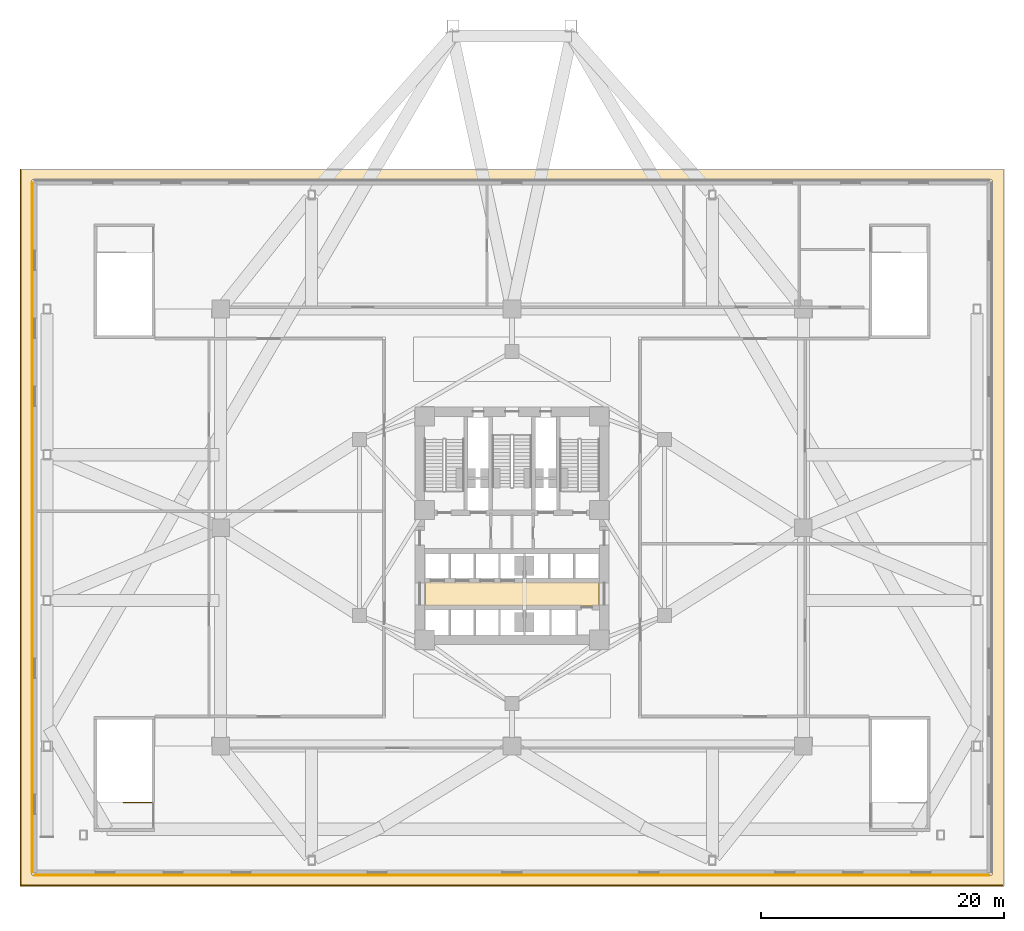
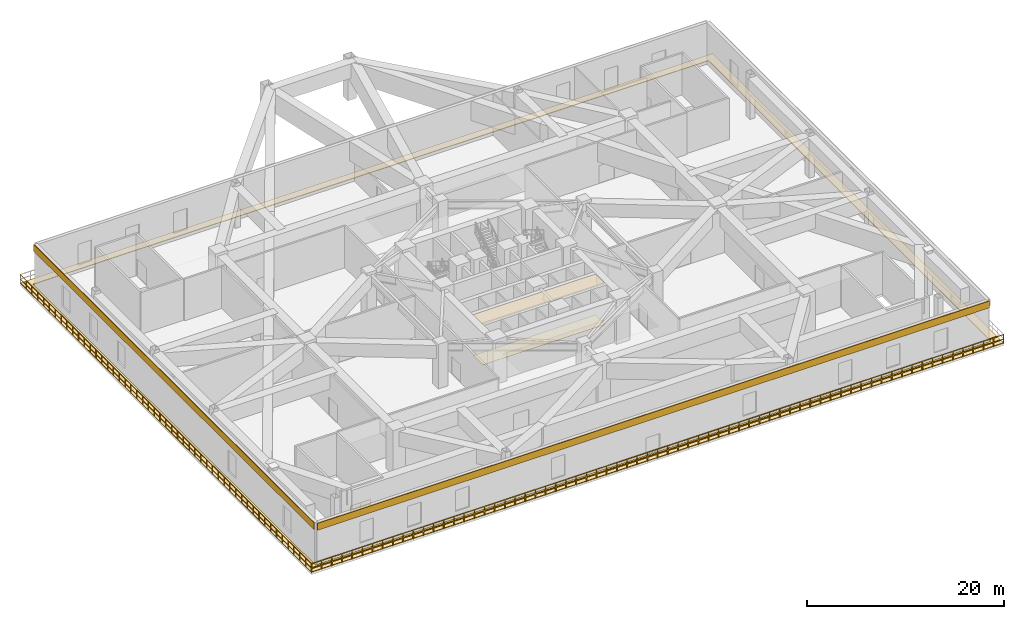
# One storey, part 11 of 15: 5 coverings, 3 railings.
"""IFC4 building model written with IfcOpenShell, lengths in metres."""

from ifc_helpers import new_model, si_unit, direction, frame, origin, origin_2d, place, context, subcontext, project, spatial, polyline, rectangle, outline, extrude, material, layer, layer_set, type_object, element, save


model = new_model("IFC4")

# Units and contexts
model_context = context("Model", 3, precision=1e-05, world=origin(), true_north=direction((0.0, 1.0)))
body_context = subcontext(model_context, "Body", "Model", "MODEL_VIEW")
ifc_project = project(units=[si_unit("LENGTHUNIT", "METRE"), si_unit("AREAUNIT", "SQUARE_METRE"), si_unit("VOLUMEUNIT", "CUBIC_METRE"), si_unit("PLANEANGLEUNIT", "RADIAN"), si_unit("MASSUNIT", "GRAM", prefix="KILO")], contexts=[model_context])

# Site, building, storey
site_placement = place(None, origin())
site = spatial("IfcSite", under=ifc_project, at=site_placement, CompositionType="ELEMENT")
building_placement = place(site_placement, origin())
building = spatial("IfcBuilding", under=site, at=building_placement, Name="Apsidion Concourse Tower", CompositionType="ELEMENT")
storey_placement = place(building_placement, frame((0.0, 0.0, 23.5)))
storey = spatial("IfcBuildingStorey", under=building, at=storey_placement, Name="L04", CompositionType="ELEMENT", Elevation=23.5)

# Coverings
ifc_material_1 = material(Name="Acoustic mineral fibre ceiling")
ifc_layer_1 = layer(ifc_material_1, 0.0400390625)
ifc_layer_set_1 = layer_set([ifc_layer_1], Name="Acoustic mineral fibre ceiling")
covering_type_1 = type_object("IfcCoveringType", Name="COV-CEIL-40", PredefinedType="CEILING", material=ifc_layer_set_1)
covering_1_placement = place(storey_placement, frame((0.0, 0.0, 5.050048828125)))
element("IfcCovering", 1, at=covering_1_placement, inside=storey, type_object=covering_type_1, Name="L04 Acoustic Ceiling Grid 1", PredefinedType="CEILING", context=body_context, shape_type="SweptSolid", body=[
    extrude(outline(polyline([(-7.179931640625, -6.449951171875), (-7.179931640625, -4.47998046875), (7.179931640625, -4.47998046875), (7.179931640625, -6.449951171875), (-7.179931640625, -6.449951171875)])), origin(), (0.0, 0.0, 1.0), 0.0400390625),
])
ifc_material_2 = material(Name="Reconstituted limestone facade cladding", Category="masonry")
ifc_layer_2 = layer(ifc_material_2, 0.080078125)
ifc_layer_set_2 = layer_set([ifc_layer_2], Name="Reconstituted limestone facade cladding")
covering_type_2 = type_object("IfcCoveringType", Name="COV-CLAD-80", PredefinedType="CLADDING", material=ifc_layer_set_2)
covering_2_placement = place(storey_placement, frame((0.0, 0.0, 4.300048828125)))
element("IfcCovering", 2, at=covering_2_placement, inside=storey, type_object=covering_type_2, Name="L04 Limestone Spandrel Cladding S", PredefinedType="CLADDING", context=body_context, shape_type="SweptSolid", body=[
    extrude(outline(polyline([(39.300048828125, -28.580078125), (-39.300048828125, -28.580078125), (-39.300048828125, -28.659912109375), (39.300048828125, -28.659912109375), (39.300048828125, -28.580078125)])), origin(), (0.0, 0.0, 1.0), 0.849853515625),
])
covering_3_placement = place(storey_placement, frame((0.0, 0.0, 4.300048828125)))
element("IfcCovering", 3, at=covering_3_placement, inside=storey, type_object=covering_type_2, Name="L04 Limestone Spandrel Cladding W", PredefinedType="CLADDING", context=body_context, shape_type="SweptSolid", body=[
    extrude(outline(polyline([(-39.47998046875, -28.39990234375), (-39.47998046875, 28.39990234375), (-39.56005859375, 28.39990234375), (-39.56005859375, -28.39990234375), (-39.47998046875, -28.39990234375)])), origin(), (0.0, 0.0, 1.0), 0.849853515625),
])
ifc_material_3 = material(Name="Honed travertine floor finish", Category="masonry")
ifc_layer_3 = layer(ifc_material_3, 0.02001953125)
ifc_layer_set_3 = layer_set([ifc_layer_3], Name="Honed travertine floor finish")
covering_type_3 = type_object("IfcCoveringType", Name="COV-FLOR-20", PredefinedType="FLOORING", material=ifc_layer_set_3)
covering_4_placement = place(storey_placement, origin())
element("IfcCovering", 4, at=covering_4_placement, inside=storey, type_object=covering_type_3, Name="L04 Honed Travertine Floor Finish 1", PredefinedType="FLOORING", context=body_context, shape_type="SweptSolid", body=[
    extrude(outline(polyline([(-7.179931640625, -6.449951171875), (-7.179931640625, -4.47998046875), (7.179931640625, -4.47998046875), (7.179931640625, -6.449951171875), (-7.179931640625, -6.449951171875)])), origin(), (0.0, 0.0, 1.0), 0.02001953125),
])
ifc_material_4 = material(Name="Single-ply EPDM roofing membrane")
ifc_layer_4 = layer(ifc_material_4, 0.1201171875)
ifc_layer_set_4 = layer_set([ifc_layer_4], Name="Single-ply EPDM roofing membrane")
covering_type_4 = type_object("IfcCoveringType", Name="COV-ROOF-120", PredefinedType="ROOFING", material=ifc_layer_set_4)
covering_5_placement = place(storey_placement, origin())
element("IfcCovering", 5, at=covering_5_placement, inside=storey, type_object=covering_type_4, Name="L04 Podium Terrace Waterproofing Membrane", PredefinedType="ROOFING", context=body_context, shape_type="SweptSolid", body=[
    extrude(outline(polyline([(-40.5, 29.5), (40.5, 29.5), (40.5, -29.5), (-40.5, -29.5), (-40.5, 29.5)]), holes=[polyline([(-39.52001953125, -28.60205078125), (-39.51953125, -28.60400390625), (-39.51904296875, -28.605712890625), (-39.5185546875, -28.607666015625), (-39.517578125, -28.609375), (-39.5166015625, -28.611083984375), (-39.515380859375, -28.61279296875), (-39.51416015625, -28.614013671875), (-39.5126953125, -28.615478515625), (-39.510986328125, -28.61669921875), (-39.509521484375, -28.61767578125), (-39.5078125, -28.618408203125), (-39.505859375, -28.619140625), (-39.50390625, -28.61962890625), (-39.501953125, -28.619873046875), (-39.5, -28.6201171875), (39.5, -28.6201171875), (39.501953125, -28.619873046875), (39.50390625, -28.61962890625), (39.505859375, -28.619140625), (39.5078125, -28.618408203125), (39.509521484375, -28.61767578125), (39.510986328125, -28.61669921875), (39.5126953125, -28.615478515625), (39.51416015625, -28.614013671875), (39.515380859375, -28.61279296875), (39.5166015625, -28.611083984375), (39.517578125, -28.609375), (39.5185546875, -28.607666015625), (39.51904296875, -28.605712890625), (39.51953125, -28.60400390625), (39.52001953125, -28.60205078125), (39.52001953125, -28.60009765625), (39.52001953125, 28.60009765625), (39.52001953125, 28.60205078125), (39.51953125, 28.60400390625), (39.51904296875, 28.605712890625), (39.5185546875, 28.607666015625), (39.517578125, 28.609375), (39.5166015625, 28.611083984375), (39.515380859375, 28.61279296875), (39.51416015625, 28.614013671875), (39.5126953125, 28.615478515625), (39.510986328125, 28.61669921875), (39.509521484375, 28.61767578125), (39.5078125, 28.618408203125), (39.505859375, 28.619140625), (39.50390625, 28.61962890625), (39.501953125, 28.619873046875), (39.5, 28.6201171875), (-39.5, 28.6201171875), (-39.501953125, 28.619873046875), (-39.50390625, 28.61962890625), (-39.505859375, 28.619140625), (-39.5078125, 28.618408203125), (-39.509521484375, 28.61767578125), (-39.510986328125, 28.61669921875), (-39.5126953125, 28.615478515625), (-39.51416015625, 28.614013671875), (-39.515380859375, 28.61279296875), (-39.5166015625, 28.611083984375), (-39.517578125, 28.609375), (-39.5185546875, 28.607666015625), (-39.51904296875, 28.605712890625), (-39.51953125, 28.60400390625), (-39.52001953125, 28.60205078125), (-39.52001953125, 28.60009765625), (-39.52001953125, -28.60009765625), (-39.52001953125, -28.60205078125)])]), origin(), (0.0, 0.0, 1.0), 0.080078125),
])

# Railings
ifc_material_5 = material(Name="Brushed stainless steel 316", Category="steel")
railing_type_1 = type_object("IfcRailingType", Name="RL-BAL-1120", PredefinedType="BALUSTRADE", material=ifc_material_5)
railing_1_placement = place(storey_placement, frame((40.5, -29.5, 0.0)))
element("IfcRailing", 6, at=railing_1_placement, inside=storey, type_object=railing_type_1, Name="L04 Podium Setback Terrace Balustrade 3", PredefinedType="BALUSTRADE", context=body_context, shape_type="SweptSolid", body=[
    extrude(rectangle(XDim=0.048095703125, YDim=0.048095703125, at=origin_2d()), frame((0.0, 0.0, 1.09619140625), z_axis=(-1.0, 0.0, 0.0), x_axis=(0.0, -1.0, 0.0)), (0.0, 0.0, 1.0), 81.0),
    extrude(rectangle(XDim=0.048095703125, YDim=0.048095703125, at=origin_2d()), frame((0.0, 0.0, 0.5361328125), z_axis=(-1.0, 0.0, 0.0), x_axis=(0.0, -1.0, 0.0)), (0.0, 0.0, 1.0), 81.0),
    extrude(rectangle(XDim=0.0419921875, YDim=0.0419921875, at=origin_2d()), origin(), (0.0, 0.0, 1.0), 1.072021484375),
    extrude(rectangle(XDim=0.0419921875, YDim=0.0419921875, at=origin_2d()), frame((-1.191162109375, 0.0, 0.0)), (0.0, 0.0, 1.0), 1.072021484375),
    extrude(rectangle(XDim=0.0419921875, YDim=0.0419921875, at=origin_2d()), frame((-2.38232421875, 0.0, 0.0)), (0.0, 0.0, 1.0), 1.072021484375),
    extrude(rectangle(XDim=0.0419921875, YDim=0.0419921875, at=origin_2d()), frame((-3.573486328125, 0.0, 0.0)), (0.0, 0.0, 1.0), 1.072021484375),
    extrude(rectangle(XDim=0.0419921875, YDim=0.0419921875, at=origin_2d()), frame((-4.7646484375, 0.0, 0.0)), (0.0, 0.0, 1.0), 1.072021484375),
    extrude(rectangle(XDim=0.0419921875, YDim=0.0419921875, at=origin_2d()), frame((-5.955810546875, 0.0, 0.0)), (0.0, 0.0, 1.0), 1.072021484375),
    extrude(rectangle(XDim=0.0419921875, YDim=0.0419921875, at=origin_2d()), frame((-7.14697265625, 0.0, 0.0)), (0.0, 0.0, 1.0), 1.072021484375),
    extrude(rectangle(XDim=0.0419921875, YDim=0.0419921875, at=origin_2d()), frame((-8.338134765625, 0.0, 0.0)), (0.0, 0.0, 1.0), 1.072021484375),
    extrude(rectangle(XDim=0.0419921875, YDim=0.0419921875, at=origin_2d()), frame((-9.529296875, 0.0, 0.0)), (0.0, 0.0, 1.0), 1.072021484375),
    extrude(rectangle(XDim=0.0419921875, YDim=0.0419921875, at=origin_2d()), frame((-10.720703125, 0.0, 0.0)), (0.0, 0.0, 1.0), 1.072021484375),
    extrude(rectangle(XDim=0.0419921875, YDim=0.0419921875, at=origin_2d()), frame((-11.911865234375, 0.0, 0.0)), (0.0, 0.0, 1.0), 1.072021484375),
    extrude(rectangle(XDim=0.0419921875, YDim=0.0419921875, at=origin_2d()), frame((-13.10302734375, 0.0, 0.0)), (0.0, 0.0, 1.0), 1.072021484375),
    extrude(rectangle(XDim=0.0419921875, YDim=0.0419921875, at=origin_2d()), frame((-14.294189453125, 0.0, 0.0)), (0.0, 0.0, 1.0), 1.072021484375),
    extrude(rectangle(XDim=0.0419921875, YDim=0.0419921875, at=origin_2d()), frame((-15.4853515625, 0.0, 0.0)), (0.0, 0.0, 1.0), 1.072021484375),
    extrude(rectangle(XDim=0.0419921875, YDim=0.0419921875, at=origin_2d()), frame((-16.676513671875, 0.0, 0.0)), (0.0, 0.0, 1.0), 1.072021484375),
    extrude(rectangle(XDim=0.0419921875, YDim=0.0419921875, at=origin_2d()), frame((-17.86767578125, 0.0, 0.0)), (0.0, 0.0, 1.0), 1.072021484375),
    extrude(rectangle(XDim=0.0419921875, YDim=0.0419921875, at=origin_2d()), frame((-19.058837890625, 0.0, 0.0)), (0.0, 0.0, 1.0), 1.072021484375),
    extrude(rectangle(XDim=0.0419921875, YDim=0.0419921875, at=origin_2d()), frame((-20.25, 0.0, 0.0)), (0.0, 0.0, 1.0), 1.072021484375),
    extrude(rectangle(XDim=0.0419921875, YDim=0.0419921875, at=origin_2d()), frame((-21.441162109375, 0.0, 0.0)), (0.0, 0.0, 1.0), 1.072021484375),
    extrude(rectangle(XDim=0.0419921875, YDim=0.0419921875, at=origin_2d()), frame((-22.63232421875, 0.0, 0.0)), (0.0, 0.0, 1.0), 1.072021484375),
    extrude(rectangle(XDim=0.0419921875, YDim=0.0419921875, at=origin_2d()), frame((-23.823486328125, 0.0, 0.0)), (0.0, 0.0, 1.0), 1.072021484375),
    extrude(rectangle(XDim=0.0419921875, YDim=0.0419921875, at=origin_2d()), frame((-25.0146484375, 0.0, 0.0)), (0.0, 0.0, 1.0), 1.072021484375),
    extrude(rectangle(XDim=0.0419921875, YDim=0.0419921875, at=origin_2d()), frame((-26.205810546875, 0.0, 0.0)), (0.0, 0.0, 1.0), 1.072021484375),
    extrude(rectangle(XDim=0.0419921875, YDim=0.0419921875, at=origin_2d()), frame((-27.39697265625, 0.0, 0.0)), (0.0, 0.0, 1.0), 1.072021484375),
    extrude(rectangle(XDim=0.0419921875, YDim=0.0419921875, at=origin_2d()), frame((-28.588134765625, 0.0, 0.0)), (0.0, 0.0, 1.0), 1.072021484375),
    extrude(rectangle(XDim=0.0419921875, YDim=0.0419921875, at=origin_2d()), frame((-29.779296875, 0.0, 0.0)), (0.0, 0.0, 1.0), 1.072021484375),
    extrude(rectangle(XDim=0.0419921875, YDim=0.0419921875, at=origin_2d()), frame((-30.970703125, 0.0, 0.0)), (0.0, 0.0, 1.0), 1.072021484375),
    extrude(rectangle(XDim=0.0419921875, YDim=0.0419921875, at=origin_2d()), frame((-32.161865234375, 0.0, 0.0)), (0.0, 0.0, 1.0), 1.072021484375),
    extrude(rectangle(XDim=0.0419921875, YDim=0.0419921875, at=origin_2d()), frame((-33.35302734375, 0.0, 0.0)), (0.0, 0.0, 1.0), 1.072021484375),
    extrude(rectangle(XDim=0.0419921875, YDim=0.0419921875, at=origin_2d()), frame((-34.544189453125, 0.0, 0.0)), (0.0, 0.0, 1.0), 1.072021484375),
    extrude(rectangle(XDim=0.0419921875, YDim=0.0419921875, at=origin_2d()), frame((-35.7353515625, 0.0, 0.0)), (0.0, 0.0, 1.0), 1.072021484375),
    extrude(rectangle(XDim=0.0419921875, YDim=0.0419921875, at=origin_2d()), frame((-36.926513671875, 0.0, 0.0)), (0.0, 0.0, 1.0), 1.072021484375),
    extrude(rectangle(XDim=0.0419921875, YDim=0.0419921875, at=origin_2d()), frame((-38.11767578125, 0.0, 0.0)), (0.0, 0.0, 1.0), 1.072021484375),
    extrude(rectangle(XDim=0.0419921875, YDim=0.0419921875, at=origin_2d()), frame((-39.308837890625, 0.0, 0.0)), (0.0, 0.0, 1.0), 1.072021484375),
    extrude(rectangle(XDim=0.0419921875, YDim=0.0419921875, at=origin_2d()), frame((-40.5, 0.0, 0.0)), (0.0, 0.0, 1.0), 1.072021484375),
    extrude(rectangle(XDim=0.0419921875, YDim=0.0419921875, at=origin_2d()), frame((-41.691162109375, 0.0, 0.0)), (0.0, 0.0, 1.0), 1.072021484375),
    extrude(rectangle(XDim=0.0419921875, YDim=0.0419921875, at=origin_2d()), frame((-42.88232421875, 0.0, 0.0)), (0.0, 0.0, 1.0), 1.072021484375),
    extrude(rectangle(XDim=0.0419921875, YDim=0.0419921875, at=origin_2d()), frame((-44.073486328125, 0.0, 0.0)), (0.0, 0.0, 1.0), 1.072021484375),
    extrude(rectangle(XDim=0.0419921875, YDim=0.0419921875, at=origin_2d()), frame((-45.2646484375, 0.0, 0.0)), (0.0, 0.0, 1.0), 1.072021484375),
    extrude(rectangle(XDim=0.0419921875, YDim=0.0419921875, at=origin_2d()), frame((-46.455810546875, 0.0, 0.0)), (0.0, 0.0, 1.0), 1.072021484375),
    extrude(rectangle(XDim=0.0419921875, YDim=0.0419921875, at=origin_2d()), frame((-47.64697265625, 0.0, 0.0)), (0.0, 0.0, 1.0), 1.072021484375),
    extrude(rectangle(XDim=0.0419921875, YDim=0.0419921875, at=origin_2d()), frame((-48.838134765625, 0.0, 0.0)), (0.0, 0.0, 1.0), 1.072021484375),
    extrude(rectangle(XDim=0.0419921875, YDim=0.0419921875, at=origin_2d()), frame((-50.029296875, 0.0, 0.0)), (0.0, 0.0, 1.0), 1.072021484375),
    extrude(rectangle(XDim=0.0419921875, YDim=0.0419921875, at=origin_2d()), frame((-51.220703125, 0.0, 0.0)), (0.0, 0.0, 1.0), 1.072021484375),
    extrude(rectangle(XDim=0.0419921875, YDim=0.0419921875, at=origin_2d()), frame((-52.411865234375, 0.0, 0.0)), (0.0, 0.0, 1.0), 1.072021484375),
    extrude(rectangle(XDim=0.0419921875, YDim=0.0419921875, at=origin_2d()), frame((-53.60302734375, 0.0, 0.0)), (0.0, 0.0, 1.0), 1.072021484375),
    extrude(rectangle(XDim=0.0419921875, YDim=0.0419921875, at=origin_2d()), frame((-54.794189453125, 0.0, 0.0)), (0.0, 0.0, 1.0), 1.072021484375),
    extrude(rectangle(XDim=0.0419921875, YDim=0.0419921875, at=origin_2d()), frame((-55.9853515625, 0.0, 0.0)), (0.0, 0.0, 1.0), 1.072021484375),
    extrude(rectangle(XDim=0.0419921875, YDim=0.0419921875, at=origin_2d()), frame((-57.176513671875, 0.0, 0.0)), (0.0, 0.0, 1.0), 1.072021484375),
    extrude(rectangle(XDim=0.0419921875, YDim=0.0419921875, at=origin_2d()), frame((-58.36767578125, 0.0, 0.0)), (0.0, 0.0, 1.0), 1.072021484375),
    extrude(rectangle(XDim=0.0419921875, YDim=0.0419921875, at=origin_2d()), frame((-59.558837890625, 0.0, 0.0)), (0.0, 0.0, 1.0), 1.072021484375),
    extrude(rectangle(XDim=0.0419921875, YDim=0.0419921875, at=origin_2d()), frame((-60.75, 0.0, 0.0)), (0.0, 0.0, 1.0), 1.072021484375),
    extrude(rectangle(XDim=0.0419921875, YDim=0.0419921875, at=origin_2d()), frame((-61.941162109375, 0.0, 0.0)), (0.0, 0.0, 1.0), 1.072021484375),
    extrude(rectangle(XDim=0.0419921875, YDim=0.0419921875, at=origin_2d()), frame((-63.13232421875, 0.0, 0.0)), (0.0, 0.0, 1.0), 1.072021484375),
    extrude(rectangle(XDim=0.0419921875, YDim=0.0419921875, at=origin_2d()), frame((-64.323486328125, 0.0, 0.0)), (0.0, 0.0, 1.0), 1.072021484375),
    extrude(rectangle(XDim=0.0419921875, YDim=0.0419921875, at=origin_2d()), frame((-65.5146484375, 0.0, 0.0)), (0.0, 0.0, 1.0), 1.072021484375),
    extrude(rectangle(XDim=0.0419921875, YDim=0.0419921875, at=origin_2d()), frame((-66.705810546875, 0.0, 0.0)), (0.0, 0.0, 1.0), 1.072021484375),
    extrude(rectangle(XDim=0.0419921875, YDim=0.0419921875, at=origin_2d()), frame((-67.89697265625, 0.0, 0.0)), (0.0, 0.0, 1.0), 1.072021484375),
    extrude(rectangle(XDim=0.0419921875, YDim=0.0419921875, at=origin_2d()), frame((-69.088134765625, 0.0, 0.0)), (0.0, 0.0, 1.0), 1.072021484375),
    extrude(rectangle(XDim=0.0419921875, YDim=0.0419921875, at=origin_2d()), frame((-70.279296875, 0.0, 0.0)), (0.0, 0.0, 1.0), 1.072021484375),
    extrude(rectangle(XDim=0.0419921875, YDim=0.0419921875, at=origin_2d()), frame((-71.470703125, 0.0, 0.0)), (0.0, 0.0, 1.0), 1.072021484375),
    extrude(rectangle(XDim=0.0419921875, YDim=0.0419921875, at=origin_2d()), frame((-72.661865234375, 0.0, 0.0)), (0.0, 0.0, 1.0), 1.072021484375),
    extrude(rectangle(XDim=0.0419921875, YDim=0.0419921875, at=origin_2d()), frame((-73.85302734375, 0.0, 0.0)), (0.0, 0.0, 1.0), 1.072021484375),
    extrude(rectangle(XDim=0.0419921875, YDim=0.0419921875, at=origin_2d()), frame((-75.044189453125, 0.0, 0.0)), (0.0, 0.0, 1.0), 1.072021484375),
    extrude(rectangle(XDim=0.0419921875, YDim=0.0419921875, at=origin_2d()), frame((-76.2353515625, 0.0, 0.0)), (0.0, 0.0, 1.0), 1.072021484375),
    extrude(rectangle(XDim=0.0419921875, YDim=0.0419921875, at=origin_2d()), frame((-77.426513671875, 0.0, 0.0)), (0.0, 0.0, 1.0), 1.072021484375),
    extrude(rectangle(XDim=0.0419921875, YDim=0.0419921875, at=origin_2d()), frame((-78.61767578125, 0.0, 0.0)), (0.0, 0.0, 1.0), 1.072021484375),
    extrude(rectangle(XDim=0.0419921875, YDim=0.0419921875, at=origin_2d()), frame((-79.808837890625, 0.0, 0.0)), (0.0, 0.0, 1.0), 1.072021484375),
    extrude(rectangle(XDim=0.0419921875, YDim=0.0419921875, at=origin_2d()), frame((-81.0, 0.0, 0.0)), (0.0, 0.0, 1.0), 1.072021484375),
])
railing_2_placement = place(storey_placement, frame((-40.5, -29.5, 0.0)))
element("IfcRailing", 7, at=railing_2_placement, inside=storey, type_object=railing_type_1, Name="L04 Podium Setback Terrace Balustrade 4", PredefinedType="BALUSTRADE", context=body_context, shape_type="SweptSolid", body=[
    extrude(rectangle(XDim=0.048095703125, YDim=0.048095703125, at=origin_2d()), frame((0.0, 0.0, 1.09619140625), z_axis=(0.0, 1.0, 0.0), x_axis=(-1.0, 0.0, 0.0)), (0.0, 0.0, 1.0), 59.0),
    extrude(rectangle(XDim=0.048095703125, YDim=0.048095703125, at=origin_2d()), frame((0.0, 0.0, 0.5361328125), z_axis=(0.0, 1.0, 0.0), x_axis=(-1.0, 0.0, 0.0)), (0.0, 0.0, 1.0), 59.0),
    extrude(rectangle(XDim=0.0419921875, YDim=0.0419921875, at=origin_2d()), origin(), (0.0, 0.0, 1.0), 1.072021484375),
    extrude(rectangle(XDim=0.0419921875, YDim=0.0419921875, at=origin_2d()), frame((0.0, 1.179931640625, 0.0)), (0.0, 0.0, 1.0), 1.072021484375),
    extrude(rectangle(XDim=0.0419921875, YDim=0.0419921875, at=origin_2d()), frame((0.0, 2.360107421875, 0.0)), (0.0, 0.0, 1.0), 1.072021484375),
    extrude(rectangle(XDim=0.0419921875, YDim=0.0419921875, at=origin_2d()), frame((0.0, 3.5400390625, 0.0)), (0.0, 0.0, 1.0), 1.072021484375),
    extrude(rectangle(XDim=0.0419921875, YDim=0.0419921875, at=origin_2d()), frame((0.0, 4.719970703125, 0.0)), (0.0, 0.0, 1.0), 1.072021484375),
    extrude(rectangle(XDim=0.0419921875, YDim=0.0419921875, at=origin_2d()), frame((0.0, 5.89990234375, 0.0)), (0.0, 0.0, 1.0), 1.072021484375),
    extrude(rectangle(XDim=0.0419921875, YDim=0.0419921875, at=origin_2d()), frame((0.0, 7.080078125, 0.0)), (0.0, 0.0, 1.0), 1.072021484375),
    extrude(rectangle(XDim=0.0419921875, YDim=0.0419921875, at=origin_2d()), frame((0.0, 8.260009765625, 0.0)), (0.0, 0.0, 1.0), 1.072021484375),
    extrude(rectangle(XDim=0.0419921875, YDim=0.0419921875, at=origin_2d()), frame((0.0, 9.43994140625, 0.0)), (0.0, 0.0, 1.0), 1.072021484375),
    extrude(rectangle(XDim=0.0419921875, YDim=0.0419921875, at=origin_2d()), frame((0.0, 10.6201171875, 0.0)), (0.0, 0.0, 1.0), 1.072021484375),
    extrude(rectangle(XDim=0.0419921875, YDim=0.0419921875, at=origin_2d()), frame((0.0, 11.800048828125, 0.0)), (0.0, 0.0, 1.0), 1.072021484375),
    extrude(rectangle(XDim=0.0419921875, YDim=0.0419921875, at=origin_2d()), frame((0.0, 12.97998046875, 0.0)), (0.0, 0.0, 1.0), 1.072021484375),
    extrude(rectangle(XDim=0.0419921875, YDim=0.0419921875, at=origin_2d()), frame((0.0, 14.159912109375, 0.0)), (0.0, 0.0, 1.0), 1.072021484375),
    extrude(rectangle(XDim=0.0419921875, YDim=0.0419921875, at=origin_2d()), frame((0.0, 15.340087890625, 0.0)), (0.0, 0.0, 1.0), 1.072021484375),
    extrude(rectangle(XDim=0.0419921875, YDim=0.0419921875, at=origin_2d()), frame((0.0, 16.52001953125, 0.0)), (0.0, 0.0, 1.0), 1.072021484375),
    extrude(rectangle(XDim=0.0419921875, YDim=0.0419921875, at=origin_2d()), frame((0.0, 17.699951171875, 0.0)), (0.0, 0.0, 1.0), 1.072021484375),
    extrude(rectangle(XDim=0.0419921875, YDim=0.0419921875, at=origin_2d()), frame((0.0, 18.8798828125, 0.0)), (0.0, 0.0, 1.0), 1.072021484375),
    extrude(rectangle(XDim=0.0419921875, YDim=0.0419921875, at=origin_2d()), frame((0.0, 20.06005859375, 0.0)), (0.0, 0.0, 1.0), 1.072021484375),
    extrude(rectangle(XDim=0.0419921875, YDim=0.0419921875, at=origin_2d()), frame((0.0, 21.239990234375, 0.0)), (0.0, 0.0, 1.0), 1.072021484375),
    extrude(rectangle(XDim=0.0419921875, YDim=0.0419921875, at=origin_2d()), frame((0.0, 22.419921875, 0.0)), (0.0, 0.0, 1.0), 1.072021484375),
    extrude(rectangle(XDim=0.0419921875, YDim=0.0419921875, at=origin_2d()), frame((0.0, 23.60009765625, 0.0)), (0.0, 0.0, 1.0), 1.072021484375),
    extrude(rectangle(XDim=0.0419921875, YDim=0.0419921875, at=origin_2d()), frame((0.0, 24.780029296875, 0.0)), (0.0, 0.0, 1.0), 1.072021484375),
    extrude(rectangle(XDim=0.0419921875, YDim=0.0419921875, at=origin_2d()), frame((0.0, 25.9599609375, 0.0)), (0.0, 0.0, 1.0), 1.072021484375),
    extrude(rectangle(XDim=0.0419921875, YDim=0.0419921875, at=origin_2d()), frame((0.0, 27.139892578125, 0.0)), (0.0, 0.0, 1.0), 1.072021484375),
    extrude(rectangle(XDim=0.0419921875, YDim=0.0419921875, at=origin_2d()), frame((0.0, 28.320068359375, 0.0)), (0.0, 0.0, 1.0), 1.072021484375),
    extrude(rectangle(XDim=0.0419921875, YDim=0.0419921875, at=origin_2d()), frame((0.0, 29.5, 0.0)), (0.0, 0.0, 1.0), 1.072021484375),
    extrude(rectangle(XDim=0.0419921875, YDim=0.0419921875, at=origin_2d()), frame((0.0, 30.679931640625, 0.0)), (0.0, 0.0, 1.0), 1.072021484375),
    extrude(rectangle(XDim=0.0419921875, YDim=0.0419921875, at=origin_2d()), frame((0.0, 31.860107421875, 0.0)), (0.0, 0.0, 1.0), 1.072021484375),
    extrude(rectangle(XDim=0.0419921875, YDim=0.0419921875, at=origin_2d()), frame((0.0, 33.0400390625, 0.0)), (0.0, 0.0, 1.0), 1.072021484375),
    extrude(rectangle(XDim=0.0419921875, YDim=0.0419921875, at=origin_2d()), frame((0.0, 34.219970703125, 0.0)), (0.0, 0.0, 1.0), 1.072021484375),
    extrude(rectangle(XDim=0.0419921875, YDim=0.0419921875, at=origin_2d()), frame((0.0, 35.39990234375, 0.0)), (0.0, 0.0, 1.0), 1.072021484375),
    extrude(rectangle(XDim=0.0419921875, YDim=0.0419921875, at=origin_2d()), frame((0.0, 36.580078125, 0.0)), (0.0, 0.0, 1.0), 1.072021484375),
    extrude(rectangle(XDim=0.0419921875, YDim=0.0419921875, at=origin_2d()), frame((0.0, 37.760009765625, 0.0)), (0.0, 0.0, 1.0), 1.072021484375),
    extrude(rectangle(XDim=0.0419921875, YDim=0.0419921875, at=origin_2d()), frame((0.0, 38.93994140625, 0.0)), (0.0, 0.0, 1.0), 1.072021484375),
    extrude(rectangle(XDim=0.0419921875, YDim=0.0419921875, at=origin_2d()), frame((0.0, 40.1201171875, 0.0)), (0.0, 0.0, 1.0), 1.072021484375),
    extrude(rectangle(XDim=0.0419921875, YDim=0.0419921875, at=origin_2d()), frame((0.0, 41.300048828125, 0.0)), (0.0, 0.0, 1.0), 1.072021484375),
    extrude(rectangle(XDim=0.0419921875, YDim=0.0419921875, at=origin_2d()), frame((0.0, 42.47998046875, 0.0)), (0.0, 0.0, 1.0), 1.072021484375),
    extrude(rectangle(XDim=0.0419921875, YDim=0.0419921875, at=origin_2d()), frame((0.0, 43.659912109375, 0.0)), (0.0, 0.0, 1.0), 1.072021484375),
    extrude(rectangle(XDim=0.0419921875, YDim=0.0419921875, at=origin_2d()), frame((0.0, 44.840087890625, 0.0)), (0.0, 0.0, 1.0), 1.072021484375),
    extrude(rectangle(XDim=0.0419921875, YDim=0.0419921875, at=origin_2d()), frame((0.0, 46.02001953125, 0.0)), (0.0, 0.0, 1.0), 1.072021484375),
    extrude(rectangle(XDim=0.0419921875, YDim=0.0419921875, at=origin_2d()), frame((0.0, 47.199951171875, 0.0)), (0.0, 0.0, 1.0), 1.072021484375),
    extrude(rectangle(XDim=0.0419921875, YDim=0.0419921875, at=origin_2d()), frame((0.0, 48.3798828125, 0.0)), (0.0, 0.0, 1.0), 1.072021484375),
    extrude(rectangle(XDim=0.0419921875, YDim=0.0419921875, at=origin_2d()), frame((0.0, 49.56005859375, 0.0)), (0.0, 0.0, 1.0), 1.072021484375),
    extrude(rectangle(XDim=0.0419921875, YDim=0.0419921875, at=origin_2d()), frame((0.0, 50.739990234375, 0.0)), (0.0, 0.0, 1.0), 1.072021484375),
    extrude(rectangle(XDim=0.0419921875, YDim=0.0419921875, at=origin_2d()), frame((0.0, 51.919921875, 0.0)), (0.0, 0.0, 1.0), 1.072021484375),
    extrude(rectangle(XDim=0.0419921875, YDim=0.0419921875, at=origin_2d()), frame((0.0, 53.10009765625, 0.0)), (0.0, 0.0, 1.0), 1.072021484375),
    extrude(rectangle(XDim=0.0419921875, YDim=0.0419921875, at=origin_2d()), frame((0.0, 54.280029296875, 0.0)), (0.0, 0.0, 1.0), 1.072021484375),
    extrude(rectangle(XDim=0.0419921875, YDim=0.0419921875, at=origin_2d()), frame((0.0, 55.4599609375, 0.0)), (0.0, 0.0, 1.0), 1.072021484375),
    extrude(rectangle(XDim=0.0419921875, YDim=0.0419921875, at=origin_2d()), frame((0.0, 56.639892578125, 0.0)), (0.0, 0.0, 1.0), 1.072021484375),
    extrude(rectangle(XDim=0.0419921875, YDim=0.0419921875, at=origin_2d()), frame((0.0, 57.820068359375, 0.0)), (0.0, 0.0, 1.0), 1.072021484375),
    extrude(rectangle(XDim=0.0419921875, YDim=0.0419921875, at=origin_2d()), frame((0.0, 59.0, 0.0)), (0.0, 0.0, 1.0), 1.072021484375),
])
railing_type_2 = type_object("IfcRailingType", Name="RL-GUARD-1100", PredefinedType="GUARDRAIL", material=ifc_material_5)
railing_3_placement = place(storey_placement, frame((-29.64990234375, -22.64990234375, 0.0)))
element("IfcRailing", 8, at=railing_3_placement, inside=storey, type_object=railing_type_2, Name="L04 ST-P1 top well guard 1", PredefinedType="GUARDRAIL", context=body_context, shape_type="SweptSolid", body=[
    extrude(rectangle(XDim=0.048095703125, YDim=0.048095703125, at=origin_2d()), frame((0.0, 0.0, 1.09619140625), z_axis=(-1.0, 0.0, 0.0), x_axis=(0.0, -1.0, 0.0)), (0.0, 0.0, 1.0), 2.35009765625),
    extrude(rectangle(XDim=0.048095703125, YDim=0.048095703125, at=origin_2d()), frame((0.0, 0.0, 0.5361328125), z_axis=(-1.0, 0.0, 0.0), x_axis=(0.0, -1.0, 0.0)), (0.0, 0.0, 1.0), 2.35009765625),
    extrude(rectangle(XDim=0.0419921875, YDim=0.0419921875, at=origin_2d()), origin(), (0.0, 0.0, 1.0), 1.072021484375),
    extrude(rectangle(XDim=0.0419921875, YDim=0.0419921875, at=origin_2d()), frame((-1.175048828125, 0.0, 0.0)), (0.0, 0.0, 1.0), 1.072021484375),
    extrude(rectangle(XDim=0.0419921875, YDim=0.0419921875, at=origin_2d()), frame((-2.35009765625, 0.0, 0.0)), (0.0, 0.0, 1.0), 1.072021484375),
])

save(model, "model.ifc")
